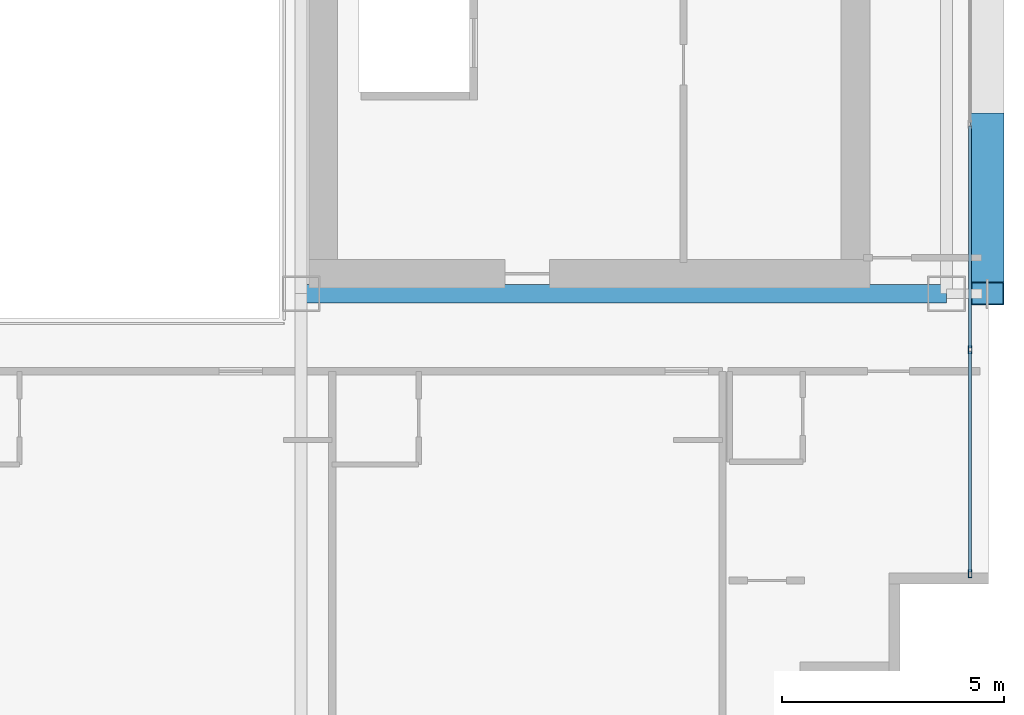
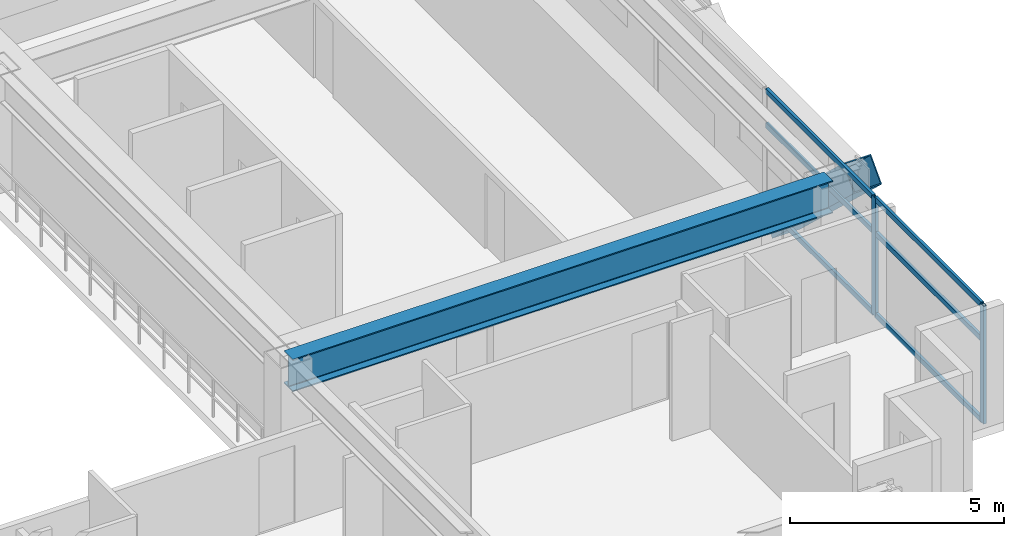
# One storey, part 11 of 34: 9 members, 1 beam, 1 element without a shape of its own.
"""IFC4 building model written with IfcOpenShell, lengths in metres."""

from ifc_helpers import new_model, si_unit, direction, frame, origin, origin_2d, place, context, subcontext, project, spatial, hollow_rectangle, i_section, extrude, source, transform, mapped, material, layer, layer_set, material_profile, profile_set, type_object, element, aggregate, save


model = new_model("IFC4")

# Units and contexts
model_context = context("Model", 3, precision=1e-05, world=origin(), true_north=direction((0.0, 1.0)))
body_context = subcontext(model_context, "Body", "Model", "MODEL_VIEW")
ifc_project = project(units=[si_unit("LENGTHUNIT", "METRE"), si_unit("AREAUNIT", "SQUARE_METRE"), si_unit("VOLUMEUNIT", "CUBIC_METRE"), si_unit("PLANEANGLEUNIT", "RADIAN"), si_unit("MASSUNIT", "GRAM", prefix="KILO")], contexts=[model_context])

# Site, building, storey
site_placement = place(None, origin())
site = spatial("IfcSite", under=ifc_project, at=site_placement, CompositionType="ELEMENT")
building_placement = place(site_placement, origin())
building = spatial("IfcBuilding", under=site, at=building_placement, Name="Ocotamira Hotel", CompositionType="ELEMENT")
storey_placement = place(building_placement, frame((0.0, 0.0, 108.0)))
storey = spatial("IfcBuildingStorey", under=building, at=storey_placement, Name="L26", CompositionType="ELEMENT", Elevation=108.0)

# Beam
ifc_material_1 = material(Name="Steel ASTM A992 Grade 50", Category="steel")
ifc_material_profile_1 = material_profile(ifc_material_1, i_section(OverallWidth=0.41796875, OverallDepth=0.927001953125, WebThickness=0.019287109375, FlangeThickness=0.031982421875, FilletRadius=0.02392578125, at=origin_2d()), Name="W36X231")
ifc_profile_set_1 = profile_set([ifc_material_profile_1], Name="Steel ASTM A992 Grade 50")
beam_type = type_object("IfcBeamType", Name="BM-GIRD-W36X231", PredefinedType="BEAM", material=ifc_profile_set_1)
shared_shape_1 = source(origin(), body_context, "Body", "SweptSolid", [
    extrude(i_section(OverallWidth=0.41796875, OverallDepth=0.927001953125, WebThickness=0.019287109375, FlangeThickness=0.031982421875, FilletRadius=0.02392578125, at=origin_2d()), origin(), (0.0, 0.0, 1.0), 14.550048828125),
])
beam_placement = place(storey_placement, frame((40.5, 14.550048828125, 2.896484375), z_axis=(1.0, 0.0, 0.0), x_axis=(0.0, 1.0, 0.0)))
element("IfcBeam", 1, at=beam_placement, inside=storey, type_object=beam_type, Name="L26 Girder Y14.55 X40.5-55.05", PredefinedType="BEAM", context=body_context, shape_type="MappedRepresentation", body=[
    mapped(shared_shape_1, transform((0.0, 0.0, 0.0), scale=1.0)),
])

# Member
ifc_material_2 = material(Name="Pale-metal coated steel ASTM A913 Grade 65", Category="steel")
ifc_material_profile_2 = material_profile(ifc_material_2, hollow_rectangle(XDim=0.75, YDim=0.75, WallThickness=0.028076171875, at=origin_2d()), Name="BOX750X750X28")
ifc_profile_set_2 = profile_set([ifc_material_profile_2], Name="Pale-metal coated steel ASTM A913 Grade 65")
member_type_1 = type_object("IfcMemberType", Name="MEM-EXO-BOX750", PredefinedType="BRACE", material=ifc_profile_set_2)
shared_shape_2 = source(origin(), body_context, "Body", "SweptSolid", [
    extrude(hollow_rectangle(XDim=0.75, YDim=0.75, WallThickness=0.028076171875, at=origin_2d()), origin(), (0.0, 0.0, 1.0), 5.24658203125),
])
member_1_placement = place(storey_placement, frame((55.969970703125, 18.36669921875, -0.489990234375), z_axis=(0.0, -0.727442733726, 0.686168397078), x_axis=(1.0, 0.0, 0.0)))
element("IfcMember", 2, at=member_1_placement, inside=storey, type_object=member_type_1, Name="L26 Exoskeleton Diagrid E0.1", PredefinedType="BRACE", context=body_context, shape_type="MappedRepresentation", body=[
    mapped(shared_shape_2, transform((0.0, 0.0, 0.0), scale=1.0)),
])

# Curtain wall, members
ifc_material_3 = material(Name="Anodised pale-metal aluminium and solar glass", Category="aluminium")
ifc_layer = layer(ifc_material_3, 0.179931640625)
ifc_layer_set = layer_set([ifc_layer], Name="Anodised pale-metal aluminium and solar glass")
curtain_wall_type = type_object("IfcCurtainWallType", Name="CW-SYS3-Z2", PredefinedType="NOTDEFINED", material=ifc_layer_set)
curtain_wall_placement = place(storey_placement, origin())
curtain_wall = element("IfcCurtainWall", 3, at=curtain_wall_placement, inside=storey, type_object=curtain_wall_type, Name="L26 Curtain Wall CW-3 CW-L26-E", PredefinedType="NOTDEFINED")
ifc_material_4 = material(Name="Anodised pale-metal aluminium 6063-T6", Category="aluminium")
ifc_material_profile_3 = material_profile(ifc_material_4, hollow_rectangle(XDim=0.074951171875, YDim=0.14990234375, WallThickness=0.006103515625, at=origin_2d()), Name="HSS150X75X6")
ifc_profile_set_3 = profile_set([ifc_material_profile_3], Name="Anodised pale-metal aluminium 6063-T6")
member_type_2 = type_object("IfcMemberType", Name="CWT-150X75", PredefinedType="USERDEFINED", material=ifc_profile_set_3)
shared_shape_3 = source(origin(), body_context, "Body", "SweptSolid", [
    extrude(hollow_rectangle(XDim=0.074951171875, YDim=0.14990234375, WallThickness=0.006103515625, at=origin_2d()), origin(), (0.0, 0.0, 1.0), 4.965576171875),
])
member_2_placement = place(storey_placement, frame((55.580078125, 8.280029296875, 0.03759765625), z_axis=(0.0, 1.0, 0.0), x_axis=(-1.0, 0.0, 0.0)))
member_2 = element("IfcMember", 4, at=member_2_placement, type_object=member_type_2, Name="CW-3 transom 1.1", ObjectType="TRANSOM", PredefinedType="USERDEFINED", context=body_context, shape_type="MappedRepresentation", body=[
    mapped(shared_shape_3, transform((0.0, 0.0, 0.0), scale=1.0)),
])
member_3_placement = place(storey_placement, frame((55.580078125, 8.280029296875, 2.35009765625), z_axis=(0.0, 1.0, 0.0), x_axis=(-1.0, 0.0, 0.0)))
member_3 = element("IfcMember", 5, at=member_3_placement, type_object=member_type_2, Name="CW-3 transom 1.2", ObjectType="TRANSOM", PredefinedType="USERDEFINED", context=body_context, shape_type="MappedRepresentation", body=[
    mapped(shared_shape_3, transform((0.0, 0.0, 0.0), scale=1.0)),
])
member_4_placement = place(storey_placement, frame((55.580078125, 8.280029296875, 3.322509765625), z_axis=(0.0, 1.0, 0.0), x_axis=(-1.0, 0.0, 0.0)))
member_4 = element("IfcMember", 6, at=member_4_placement, type_object=member_type_2, Name="CW-3 transom 1.3", ObjectType="TRANSOM", PredefinedType="USERDEFINED", context=body_context, shape_type="MappedRepresentation", body=[
    mapped(shared_shape_3, transform((0.0, 0.0, 0.0), scale=1.0)),
])
shared_shape_4 = source(origin(), body_context, "Body", "SweptSolid", [
    extrude(hollow_rectangle(XDim=0.074951171875, YDim=0.14990234375, WallThickness=0.006103515625, at=origin_2d()), origin(), (0.0, 0.0, 1.0), 5.005859375),
])
member_5_placement = place(storey_placement, frame((55.580078125, 13.32568359375, 0.03759765625), z_axis=(0.0, 1.0, 0.0), x_axis=(-1.0, 0.0, 0.0)))
member_5 = element("IfcMember", 7, at=member_5_placement, type_object=member_type_2, Name="CW-3 transom 2.1", ObjectType="TRANSOM", PredefinedType="USERDEFINED", context=body_context, shape_type="MappedRepresentation", body=[
    mapped(shared_shape_4, transform((0.0, 0.0, 0.0), scale=1.0)),
])
member_6_placement = place(storey_placement, frame((55.580078125, 13.32568359375, 2.35009765625), z_axis=(0.0, 1.0, 0.0), x_axis=(-1.0, 0.0, 0.0)))
member_6 = element("IfcMember", 8, at=member_6_placement, type_object=member_type_2, Name="CW-3 transom 2.2", ObjectType="TRANSOM", PredefinedType="USERDEFINED", context=body_context, shape_type="MappedRepresentation", body=[
    mapped(shared_shape_4, transform((0.0, 0.0, 0.0), scale=1.0)),
])
member_7_placement = place(storey_placement, frame((55.580078125, 13.32568359375, 3.322509765625), z_axis=(0.0, 1.0, 0.0), x_axis=(-1.0, 0.0, 0.0)))
member_7 = element("IfcMember", 9, at=member_7_placement, type_object=member_type_2, Name="CW-3 transom 2.3", ObjectType="TRANSOM", PredefinedType="USERDEFINED", context=body_context, shape_type="MappedRepresentation", body=[
    mapped(shared_shape_4, transform((0.0, 0.0, 0.0), scale=1.0)),
])
ifc_material_profile_4 = material_profile(ifc_material_4, hollow_rectangle(XDim=0.080078125, YDim=0.179931640625, WallThickness=0.006103515625, at=origin_2d()), Name="HSS180X80X6")
ifc_profile_set_4 = profile_set([ifc_material_profile_4], Name="Anodised pale-metal aluminium 6063-T6")
member_type_3 = type_object("IfcMemberType", Name="CWM-180X75", PredefinedType="MULLION", material=ifc_profile_set_4)
shared_shape_5 = source(origin(), body_context, "Body", "SweptSolid", [
    extrude(hollow_rectangle(XDim=0.080078125, YDim=0.179931640625, WallThickness=0.006103515625, at=origin_2d()), origin(), (0.0, 0.0, 1.0), 3.360107421875),
])
member_8_placement = place(storey_placement, frame((55.580078125, 8.239990234375, 0.0), z_axis=(0.0, 0.0, 1.0), x_axis=(-1.0, 0.0, 0.0)))
member_8 = element("IfcMember", 10, at=member_8_placement, type_object=member_type_3, Name="CW-3 mullion 1", PredefinedType="MULLION", context=body_context, shape_type="MappedRepresentation", body=[
    mapped(shared_shape_5, transform((0.0, 0.0, 0.0), scale=1.0)),
])
member_9_placement = place(storey_placement, frame((55.580078125, 13.28564453125, 0.0), z_axis=(0.0, 0.0, 1.0), x_axis=(-1.0, 0.0, 0.0)))
member_9 = element("IfcMember", 11, at=member_9_placement, type_object=member_type_3, Name="CW-3 mullion 2", PredefinedType="MULLION", context=body_context, shape_type="MappedRepresentation", body=[
    mapped(shared_shape_5, transform((0.0, 0.0, 0.0), scale=1.0)),
])
aggregate(curtain_wall, [member_8, member_9, member_2, member_3, member_4, member_5, member_6, member_7])

save(model, "model.ifc")
